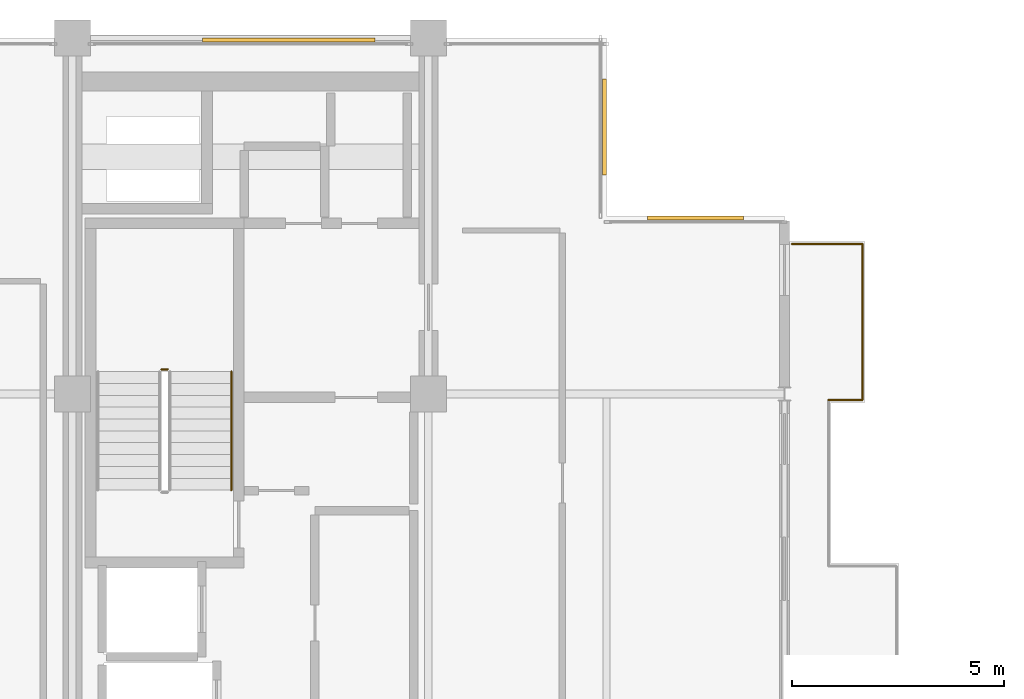
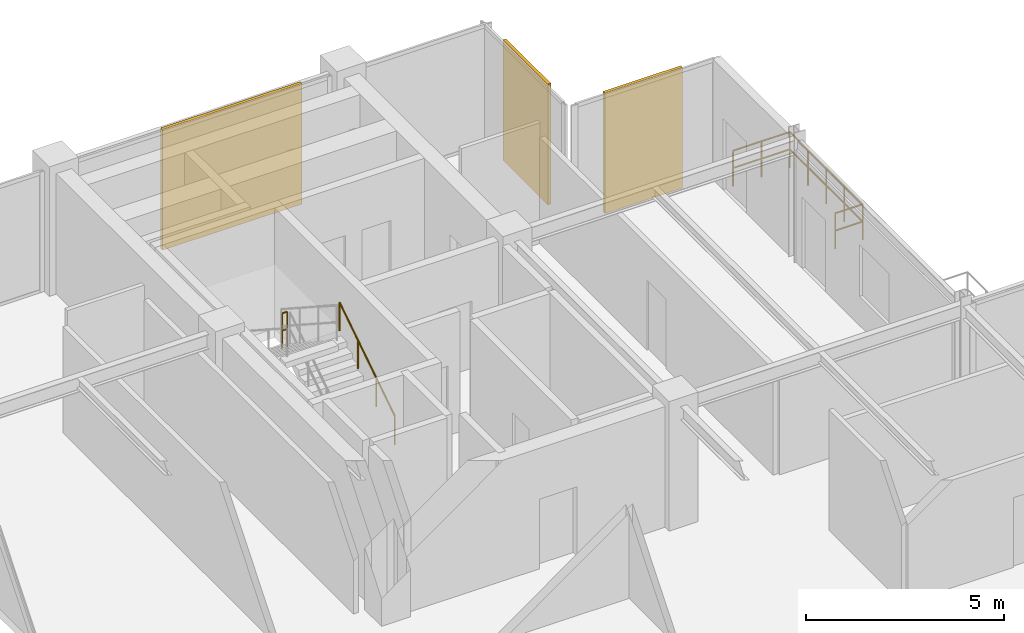
# One storey, part 26 of 26: 5 railings, 3 coverings.
"""IFC4 building model written with IfcOpenShell, lengths in metres."""

from ifc_helpers import new_model, si_unit, direction, frame, origin, origin_2d, place, context, subcontext, project, spatial, rectangle, circle, extrude, material, layer, layer_set, type_object, element, save


model = new_model("IFC4")

# Units and contexts
model_context = context("Model", 3, precision=1e-05, world=origin(), true_north=direction((0.0, 1.0)))
body_context = subcontext(model_context, "Body", "Model", "MODEL_VIEW")
ifc_project = project(units=[si_unit("LENGTHUNIT", "METRE"), si_unit("AREAUNIT", "SQUARE_METRE"), si_unit("VOLUMEUNIT", "CUBIC_METRE"), si_unit("PLANEANGLEUNIT", "RADIAN"), si_unit("MASSUNIT", "GRAM", prefix="KILO")], contexts=[model_context])

# Site, building, storey
site_placement = place(None, origin())
site = spatial("IfcSite", under=ifc_project, at=site_placement, CompositionType="ELEMENT")
building_placement = place(site_placement, origin())
building = spatial("IfcBuilding", under=site, at=building_placement, Name="Nerrivon Quay Data Exchange", CompositionType="ELEMENT")
storey_placement = place(building_placement, frame((0.0, 0.0, 270.199951171875)))
storey = spatial("IfcBuildingStorey", under=building, at=storey_placement, Name="L64", CompositionType="ELEMENT", Elevation=270.199951171875)

# Coverings
ifc_material_1 = material(Name="Architectural terracotta ceramic", Category="masonry")
ifc_layer = layer(ifc_material_1, 0.090087890625)
ifc_layer_set = layer_set([ifc_layer], Name="Architectural terracotta ceramic")
covering_type = type_object("IfcCoveringType", Name="COV-SCR-TERR", PredefinedType="CLADDING", material=ifc_layer_set)
covering_placement = place(storey_placement, frame((13.506103515625, 41.955078125, 0.0), z_axis=(0.0, 0.0, 1.0), x_axis=(1.0, 0.0, 0.0)))
element("IfcCovering", 1, at=covering_placement, inside=storey, type_object=covering_type, Name="L64 Perforated Terracotta SOLAR SCREEN Cassette", PredefinedType="CLADDING", context=body_context, shape_type="SweptSolid", body=[
    extrude(rectangle(XDim=4.076904296875, YDim=0.090087890625, at=origin_2d()), origin(), (0.0, 0.0, 1.0), 3.72509765625),
])
for number, where, z_axis, x_axis, name in (
    (2, (20.955078125, 39.89990234375, 0.0), (0.0, 0.0, 1.0), (0.0, -1.0, 0.0), "L64 Perforated Terracotta SOLAR SCREEN Cassette"),
    (3, (23.10009765625, 37.7548828125, 0.0), (0.0, 0.0, 1.0), (1.0, 0.0, 0.0), "L64 Perforated Terracotta SOLAR SCREEN Cassette"),
):
    element("IfcCovering", number, at=place(storey_placement, frame(where, z_axis=z_axis, x_axis=x_axis)), inside=storey, type_object=covering_type, Name=name, PredefinedType="CLADDING", context=body_context, shape_type="SweptSolid", body=[
        extrude(rectangle(XDim=2.26806640625, YDim=0.090087890625, at=origin_2d()), origin(), (0.0, 0.0, 1.0), 3.72509765625),
    ])

# Railings
ifc_material_2 = material(Name="Steel Grade C350L0 (350 MPa)", Category="steel")
railing_type_1 = type_object("IfcRailingType", Name="RAIL-GUARD-GR2", PredefinedType="BALUSTRADE", material=ifc_material_2)
railing_1_placement = place(storey_placement, frame((25.3798828125, 37.139892578125, 0.0)))
element("IfcRailing", 4, at=railing_1_placement, inside=storey, type_object=railing_type_1, Name="L64 Verandah Balcony Guard 1.4 1", PredefinedType="BALUSTRADE", context=body_context, shape_type="SweptSolid", body=[
    extrude(circle(Radius=0.02392578125, at=origin_2d()), frame((0.0, 0.0, 1.09619140625), z_axis=(1.0, 0.0, 0.0), x_axis=(0.0, 1.0, 0.0)), (0.0, 0.0, 1.0), 1.66015625),
    extrude(circle(Radius=0.02392578125, at=origin_2d()), frame((0.0, 0.0, 0.56005859375), z_axis=(1.0, 0.0, 0.0), x_axis=(0.0, 1.0, 0.0)), (0.0, 0.0, 1.0), 1.66015625),
    extrude(circle(Radius=0.02099609375, at=origin_2d()), origin(), (0.0, 0.0, 1.0), 1.072021484375),
    extrude(circle(Radius=0.02099609375, at=origin_2d()), frame((0.830078125, 0.0, 0.0)), (0.0, 0.0, 1.0), 1.072021484375),
    extrude(circle(Radius=0.02099609375, at=origin_2d()), frame((1.66015625, 0.0, 0.0)), (0.0, 0.0, 1.0), 1.072021484375),
])
railing_2_placement = place(storey_placement, frame((27.0400390625, 37.139892578125, 0.0)))
element("IfcRailing", 5, at=railing_2_placement, inside=storey, type_object=railing_type_1, Name="L64 Verandah Balcony Guard 1.5 1", PredefinedType="BALUSTRADE", context=body_context, shape_type="SweptSolid", body=[
    extrude(circle(Radius=0.02392578125, at=origin_2d()), frame((0.0, 0.0, 1.09619140625), z_axis=(0.0, -1.0, 0.0), x_axis=(1.0, 0.0, 0.0)), (0.0, 0.0, 1.0), 3.679931640625),
    extrude(circle(Radius=0.02392578125, at=origin_2d()), frame((0.0, 0.0, 0.56005859375), z_axis=(0.0, -1.0, 0.0), x_axis=(1.0, 0.0, 0.0)), (0.0, 0.0, 1.0), 3.679931640625),
    extrude(circle(Radius=0.02099609375, at=origin_2d()), origin(), (0.0, 0.0, 1.0), 1.072021484375),
    extrude(circle(Radius=0.02099609375, at=origin_2d()), frame((0.0, -0.919921875, 0.0)), (0.0, 0.0, 1.0), 1.072021484375),
    extrude(circle(Radius=0.02099609375, at=origin_2d()), frame((0.0, -1.83984375, 0.0)), (0.0, 0.0, 1.0), 1.072021484375),
    extrude(circle(Radius=0.02099609375, at=origin_2d()), frame((0.0, -2.760009765625, 0.0)), (0.0, 0.0, 1.0), 1.072021484375),
    extrude(circle(Radius=0.02099609375, at=origin_2d()), frame((0.0, -3.679931640625, 0.0)), (0.0, 0.0, 1.0), 1.072021484375),
])
railing_3_placement = place(storey_placement, frame((27.0400390625, 33.4599609375, 0.0)))
element("IfcRailing", 6, at=railing_3_placement, inside=storey, type_object=railing_type_1, Name="L64 Verandah Balcony Guard 1.6 1", PredefinedType="BALUSTRADE", context=body_context, shape_type="SweptSolid", body=[
    extrude(circle(Radius=0.02392578125, at=origin_2d()), frame((0.0, 0.0, 1.09619140625), z_axis=(-1.0, 0.0, 0.0), x_axis=(0.0, -1.0, 0.0)), (0.0, 0.0, 1.0), 0.800048828125),
    extrude(circle(Radius=0.02392578125, at=origin_2d()), frame((0.0, 0.0, 0.56005859375), z_axis=(-1.0, 0.0, 0.0), x_axis=(0.0, -1.0, 0.0)), (0.0, 0.0, 1.0), 0.800048828125),
    extrude(circle(Radius=0.02099609375, at=origin_2d()), origin(), (0.0, 0.0, 1.0), 1.072021484375),
    extrude(circle(Radius=0.02099609375, at=origin_2d()), frame((-0.800048828125, 0.0, 0.0)), (0.0, 0.0, 1.0), 1.072021484375),
])
railing_type_2 = type_object("IfcRailingType", Name="RAIL-HAND-HR1", PredefinedType="HANDRAIL", material=ifc_material_2)
railing_4_placement = place(storey_placement, frame((12.14990234375, 31.330078125, 0.181884765625)))
element("IfcRailing", 7, at=railing_4_placement, inside=storey, type_object=railing_type_2, Name="L64 ST01 stair handrail 1", PredefinedType="HANDRAIL", context=body_context, shape_type="SweptSolid", body=[
    extrude(circle(Radius=0.02392578125, at=origin_2d()), frame((0.0, 0.0, 0.8759765625), z_axis=(0.0, 0.83868413941, 0.544618136222), x_axis=(-1.0, 0.0, 0.0)), (0.0, 0.0, 1.0), 3.33837890625),
    extrude(circle(Radius=0.02099609375, at=origin_2d()), origin(), (0.0, 0.0, 1.0), 0.851806640625),
    extrude(circle(Radius=0.02099609375, at=origin_2d()), frame((0.0, 0.933349609375, 0.60595703125)), (0.0, 0.0, 1.0), 0.851806640625),
    extrude(circle(Radius=0.02099609375, at=origin_2d()), frame((0.0, 1.866455078125, 1.212158203125)), (0.0, 0.0, 1.0), 0.851806640625),
    extrude(circle(Radius=0.02099609375, at=origin_2d()), frame((0.0, 2.7998046875, 1.818115234375)), (0.0, 0.0, 1.0), 0.851806640625),
])
railing_type_3 = type_object("IfcRailingType", Name="RAIL-STAIR-GR1", PredefinedType="BALUSTRADE", material=ifc_material_2)
railing_5_placement = place(storey_placement, frame((10.64990234375, 34.179931640625, 2.0)))
element("IfcRailing", 8, at=railing_5_placement, inside=storey, type_object=railing_type_3, Name="L64 ST01 stair guard 2", PredefinedType="BALUSTRADE", context=body_context, shape_type="SweptSolid", body=[
    extrude(circle(Radius=0.02392578125, at=origin_2d()), frame((0.0, 0.0, 1.076171875), z_axis=(-1.0, 0.0, 0.0), x_axis=(0.0, -1.0, 0.0)), (0.0, 0.0, 1.0), 0.14990234375),
    extrude(circle(Radius=0.02392578125, at=origin_2d()), frame((0.0, 0.0, 0.550048828125), z_axis=(-1.0, 0.0, 0.0), x_axis=(0.0, -1.0, 0.0)), (0.0, 0.0, 1.0), 0.14990234375),
    extrude(circle(Radius=0.02099609375, at=origin_2d()), origin(), (0.0, 0.0, 1.0), 1.052001953125),
    extrude(circle(Radius=0.02099609375, at=origin_2d()), frame((-0.14990234375, 0.0, 0.0)), (0.0, 0.0, 1.0), 1.052001953125),
])

save(model, "model.ifc")
